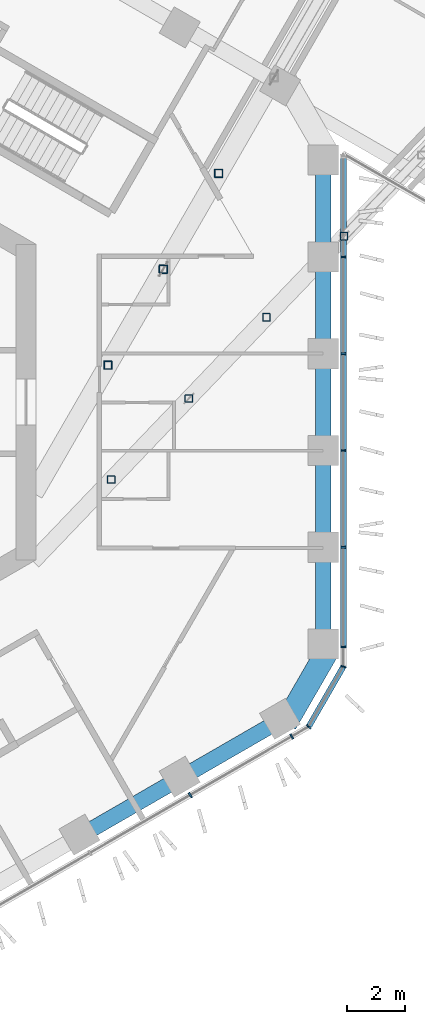
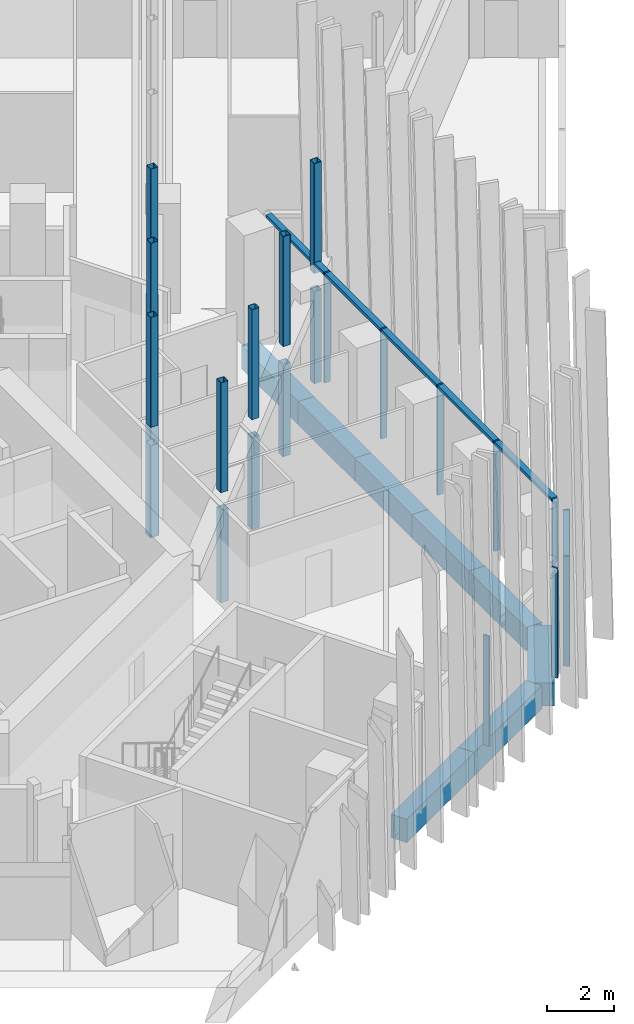
# One storey, part 5 of 31: 25 members, 8 beams, 3 elements without a shape of their own.
"""IFC4 building model written with IfcOpenShell, lengths in metres."""

from ifc_helpers import new_model, si_unit, direction, frame, origin, origin_2d, place, context, subcontext, project, spatial, rectangle, hollow_rectangle, extrude, material, layer, layer_set, material_profile, profile_set, type_object, element, aggregate, save


model = new_model("IFC4")

# Units and contexts
model_context = context("Model", 3, precision=1e-05, world=origin(), true_north=direction((0.0, 1.0)))
body_context = subcontext(model_context, "Body", "Model", "MODEL_VIEW")
ifc_project = project(units=[si_unit("LENGTHUNIT", "METRE"), si_unit("AREAUNIT", "SQUARE_METRE"), si_unit("VOLUMEUNIT", "CUBIC_METRE"), si_unit("PLANEANGLEUNIT", "RADIAN"), si_unit("MASSUNIT", "GRAM", prefix="KILO")], contexts=[model_context])

# Site, building, storey
site_placement = place(None, origin())
site = spatial("IfcSite", under=ifc_project, at=site_placement, CompositionType="ELEMENT")
building_placement = place(site_placement, origin())
building = spatial("IfcBuilding", under=site, at=building_placement, Name="Ayvan Gate Tower", CompositionType="ELEMENT")
storey_placement = place(building_placement, frame((0.0, 0.0, 135.89990234375)))
storey = spatial("IfcBuildingStorey", under=building, at=storey_placement, Name="L36", CompositionType="ELEMENT", Elevation=135.89990234375)

# Beam
ifc_material_1 = material(Name="Concrete C40/50", Category="concrete")
ifc_material_profile_1 = material_profile(ifc_material_1, rectangle(XDim=0.800048828125, YDim=0.85009765625, at=origin_2d()), Name="RC 800x850")
ifc_profile_set_1 = profile_set([ifc_material_profile_1], Name="Concrete C40/50")
beam_type_1 = type_object("IfcBeamType", Name="Corner spandrel beam RC 800x850 C40/50", PredefinedType="BEAM", material=ifc_profile_set_1)
beam_1_placement = place(storey_placement, frame((18.176025390625, -11.178466796875, -0.824951171875), z_axis=(0.499990139034, 0.866031096941, 0.0), x_axis=(-0.866031096941, 0.499990139034, 0.0)))
element("IfcBeam", 1, at=beam_1_placement, inside=storey, type_object=beam_type_1, Name="SB-L36-36", PredefinedType="BEAM", context=body_context, shape_type="SweptSolid", body=[
    extrude(rectangle(XDim=0.800048828125, YDim=0.85009765625, at=origin_2d()), origin(), (0.0, 0.0, 1.0), 3.0),
])

# Members
ifc_material_2 = material(Name="Steel S460NH", Category="steel")
ifc_material_profile_2 = material_profile(ifc_material_2, hollow_rectangle(XDim=0.27001953125, YDim=0.27001953125, WallThickness=0.01611328125, InnerFilletRadius=0.01611328125, OuterFilletRadius=0.02392578125, at=origin_2d()), Name="RHS 270x270x16")
ifc_profile_set_2 = profile_set([ifc_material_profile_2], Name="Steel S460NH")
member_type_1 = type_object("IfcMemberType", Name="Sky bar end truss post B3 RHS 270x270x16", PredefinedType="POST", material=ifc_profile_set_2)
for number, where, z_axis, x_axis, name in (
    (2, (12.11474609375, -2.69482421875, -0.39990234375), (0.0, 0.0, 1.0), (1.0, 0.0, 0.0), "SBT3-1-P-1"),
    (3, (14.813232421875, 0.12646484375, -0.39990234375), (0.0, 0.0, 1.0), (1.0, 0.0, 0.0), "SBT3-1-P-2"),
    (4, (17.51171875, 2.94775390625, -0.39990234375), (0.0, 0.0, 1.0), (1.0, 0.0, 0.0), "SBT3-1-P-3"),
    (5, (20.210205078125, 5.76904296875, -0.39990234375), (0.0, 0.0, 1.0), (1.0, 0.0, 0.0), "SBT3-1-P-4"),
):
    element("IfcMember", number, at=place(storey_placement, frame(where, z_axis=z_axis, x_axis=x_axis)), inside=storey, type_object=member_type_1, Name=name, PredefinedType="POST", context=body_context, shape_type="SweptSolid", body=[
        extrude(hollow_rectangle(XDim=0.27001953125, YDim=0.27001953125, WallThickness=0.01611328125, InnerFilletRadius=0.01611328125, OuterFilletRadius=0.02392578125, at=origin_2d()), origin(), (0.0, 0.0, 1.0), 3.35009765625),
    ])
ifc_material_profile_3 = material_profile(ifc_material_2, hollow_rectangle(XDim=0.300048828125, YDim=0.300048828125, WallThickness=0.01611328125, InnerFilletRadius=0.01611328125, OuterFilletRadius=0.02392578125, at=origin_2d()), Name="RHS 300x300x16")
ifc_profile_set_3 = profile_set([ifc_material_profile_3], Name="Steel S460NH")
member_type_2 = type_object("IfcMemberType", Name="Sky bar truss post B3 RHS 300x300x16", PredefinedType="POST", material=ifc_profile_set_3)
for number, where, z_axis, x_axis, name in (
    (6, (12.0, 1.28466796875, -0.39990234375), (0.0, 0.0, 1.0), (1.0, 0.0, 0.0), "SBT3-2-P-1"),
    (7, (13.925048828125, 4.618896484375, -0.39990234375), (0.0, 0.0, 1.0), (1.0, 0.0, 0.0), "SBT3-2-P-2"),
    (8, (15.85009765625, 7.953369140625, -0.39990234375), (0.0, 0.0, 1.0), (1.0, 0.0, 0.0), "SBT3-2-P-3"),
):
    element("IfcMember", number, at=place(storey_placement, frame(where, z_axis=z_axis, x_axis=x_axis)), inside=storey, type_object=member_type_2, Name=name, PredefinedType="POST", context=body_context, shape_type="SweptSolid", body=[
        extrude(hollow_rectangle(XDim=0.300048828125, YDim=0.300048828125, WallThickness=0.01611328125, InnerFilletRadius=0.01611328125, OuterFilletRadius=0.02392578125, at=origin_2d()), origin(), (0.0, 0.0, 1.0), 3.35009765625),
    ])
ifc_material_profile_4 = material_profile(ifc_material_2, hollow_rectangle(XDim=0.260009765625, YDim=0.260009765625, WallThickness=0.012451171875, InnerFilletRadius=0.012451171875, OuterFilletRadius=0.018798828125, at=origin_2d()), Name="RHS 260x260x12.5")
ifc_profile_set_4 = profile_set([ifc_material_profile_4], Name="Steel S460NH")
member_type_3 = type_object("IfcMemberType", Name="Sky bar upper post B3 RHS 260x260x12.5", PredefinedType="POST", material=ifc_profile_set_4)
for number, where, z_axis, x_axis, name in (
    (9, (12.11474609375, -2.69482421875, 3.60009765625), (0.0, 0.0, 1.0), (1.0, 0.0, 0.0), "SBT3-1-U-1"),
    (10, (14.813232421875, 0.12646484375, 3.60009765625), (0.0, 0.0, 1.0), (1.0, 0.0, 0.0), "SBT3-1-U-2"),
    (11, (17.51171875, 2.94775390625, 3.60009765625), (0.0, 0.0, 1.0), (1.0, 0.0, 0.0), "SBT3-1-U-3"),
    (12, (20.210205078125, 5.76904296875, 3.60009765625), (0.0, 0.0, 1.0), (1.0, 0.0, 0.0), "SBT3-1-U-4"),
    (13, (12.0, 1.28466796875, 3.60009765625), (0.0, 0.0, 1.0), (1.0, 0.0, 0.0), "SBT3-2-U-1"),
    (14, (13.925048828125, 4.618896484375, 3.60009765625), (0.0, 0.0, 1.0), (1.0, 0.0, 0.0), "SBT3-2-U-2"),
    (15, (15.85009765625, 7.953369140625, 3.60009765625), (0.0, 0.0, 1.0), (1.0, 0.0, 0.0), "SBT3-2-U-3"),
):
    element("IfcMember", number, at=place(storey_placement, frame(where, z_axis=z_axis, x_axis=x_axis)), inside=storey, type_object=member_type_3, Name=name, PredefinedType="POST", context=body_context, shape_type="SweptSolid", body=[
        extrude(hollow_rectangle(XDim=0.260009765625, YDim=0.260009765625, WallThickness=0.012451171875, InnerFilletRadius=0.012451171875, OuterFilletRadius=0.018798828125, at=origin_2d()), origin(), (0.0, 0.0, 1.0), 4.0),
    ])

# Beams
ifc_material_profile_5 = material_profile(ifc_material_1, rectangle(XDim=0.550048828125, YDim=0.85009765625, at=origin_2d()), Name="RC 550x850")
ifc_profile_set_5 = profile_set([ifc_material_profile_5], Name="Concrete C40/50")
beam_type_2 = type_object("IfcBeamType", Name="Spandrel beam RC 550x850 C40/50", PredefinedType="BEAM", material=ifc_profile_set_5)
for number, where, z_axis, x_axis, name in (
    (16, (19.485595703125, -8.470458984375, -0.824951171875), (0.0, 1.0, 0.0), (-1.0, 0.0, 0.0), "SB-L36-1"),
    (17, (19.485595703125, -5.082275390625, -0.824951171875), (0.0, 1.0, 0.0), (-1.0, 0.0, 0.0), "SB-L36-2"),
    (18, (19.485595703125, -1.694091796875, -0.824951171875), (0.0, 1.0, 0.0), (-1.0, 0.0, 0.0), "SB-L36-3"),
    (19, (19.485595703125, 1.694091796875, -0.824951171875), (0.0, 1.0, 0.0), (-1.0, 0.0, 0.0), "SB-L36-4"),
    (20, (19.485595703125, 5.082275390625, -0.824951171875), (0.0, 1.0, 0.0), (-1.0, 0.0, 0.0), "SB-L36-5"),
):
    element("IfcBeam", number, at=place(storey_placement, frame(where, z_axis=z_axis, x_axis=x_axis)), inside=storey, type_object=beam_type_2, Name=name, PredefinedType="BEAM", context=body_context, shape_type="SweptSolid", body=[
        extrude(rectangle(XDim=0.550048828125, YDim=0.85009765625, at=origin_2d()), origin(), (0.0, 0.0, 1.0), 3.38818359375),
    ])
beam_2_placement = place(storey_placement, frame((11.028564453125, -15.085205078125, -0.824951171875), z_axis=(0.866027683981, 0.499996050563, 0.0), x_axis=(-0.499996050563, 0.866027683981, 0.0)))
element("IfcBeam", 21, at=beam_2_placement, inside=storey, type_object=beam_type_2, Name="SB-L36-34", PredefinedType="BEAM", context=body_context, shape_type="SweptSolid", body=[
    extrude(rectangle(XDim=0.550048828125, YDim=0.85009765625, at=origin_2d()), origin(), (0.0, 0.0, 1.0), 4.0166015625),
])
beam_3_placement = place(storey_placement, frame((14.507080078125, -13.076904296875, -0.824951171875), z_axis=(0.866001364167, 0.500041635528, 0.0), x_axis=(-0.500041635528, 0.866001364167, 0.0)))
element("IfcBeam", 22, at=beam_3_placement, inside=storey, type_object=beam_type_2, Name="SB-L36-35", PredefinedType="BEAM", context=body_context, shape_type="SweptSolid", body=[
    extrude(rectangle(XDim=0.550048828125, YDim=0.85009765625, at=origin_2d()), origin(), (0.0, 0.0, 1.0), 4.016845703125),
])

# Curtain wall, members
ifc_material_3 = material(Name="Bronze anodised aluminium", Category="aluminium")
ifc_layer_1 = layer(ifc_material_3, 0.199951171875)
ifc_layer_set_1 = layer_set([ifc_layer_1], Name="Bronze anodised aluminium")
curtain_wall_type_1 = type_object("IfcCurtainWallType", Name="Stick curtain wall CW-1", PredefinedType="NOTDEFINED", material=ifc_layer_set_1)
curtain_wall_1_placement = place(storey_placement, origin())
curtain_wall_1 = element("IfcCurtainWall", 23, at=curtain_wall_1_placement, inside=storey, type_object=curtain_wall_type_1, Name="Stick curtain wall CW-1 L36", PredefinedType="NOTDEFINED")
ifc_material_profile_6 = material_profile(ifc_material_3, rectangle(XDim=0.199951171875, YDim=0.06005859375, at=origin_2d()), Name="Stick curtain wall CW-1 mullion 200 x 60")
ifc_profile_set_6 = profile_set([ifc_material_profile_6], Name="Bronze anodised aluminium")
member_type_4 = type_object("IfcMemberType", Name="Stick curtain wall CW-1 mullion 200 x 60", PredefinedType="MULLION", material=ifc_profile_set_6)
member_1_placement = place(storey_placement, frame((14.8642578125, -13.662109375, 0.0), z_axis=(0.0, 0.0, 1.0), x_axis=(0.5, -0.866025403784, 0.0)))
member_1 = element("IfcMember", 24, at=member_1_placement, type_object=member_type_4, Name="CW-1 mullion 5", PredefinedType="MULLION", context=body_context, shape_type="SweptSolid", body=[
    extrude(rectangle(XDim=0.199951171875, YDim=0.06005859375, at=origin_2d()), origin(), (0.0, 0.0, 1.0), 4.0),
])
member_2_placement = place(storey_placement, frame((18.389404296875, -11.626953125, 0.0), z_axis=(0.0, 0.0, 1.0), x_axis=(0.5, -0.866025403784, 0.0)))
member_2 = element("IfcMember", 25, at=member_2_placement, type_object=member_type_4, Name="CW-1 mullion 6", PredefinedType="MULLION", context=body_context, shape_type="SweptSolid", body=[
    extrude(rectangle(XDim=0.199951171875, YDim=0.06005859375, at=origin_2d()), origin(), (0.0, 0.0, 1.0), 4.0),
])
aggregate(curtain_wall_1, [member_1, member_2])

curtain_wall_2_placement = place(storey_placement, origin())
curtain_wall_2 = element("IfcCurtainWall", 26, at=curtain_wall_2_placement, inside=storey, type_object=curtain_wall_type_1, Name="Stick curtain wall CW-1 L36", PredefinedType="NOTDEFINED")
member_3_placement = place(storey_placement, frame((20.185546875, -8.515869140625, 0.0), z_axis=(0.0, 0.0, 1.0), x_axis=(1.0, 0.0, 0.0)))
member_3 = element("IfcMember", 27, at=member_3_placement, type_object=member_type_4, Name="CW-1 mullion 1", PredefinedType="MULLION", context=body_context, shape_type="SweptSolid", body=[
    extrude(rectangle(XDim=0.199951171875, YDim=0.06005859375, at=origin_2d()), origin(), (0.0, 0.0, 1.0), 4.0),
])
member_4_placement = place(storey_placement, frame((20.185546875, -5.0478515625, 0.0), z_axis=(0.0, 0.0, 1.0), x_axis=(1.0, 0.0, 0.0)))
member_4 = element("IfcMember", 28, at=member_4_placement, type_object=member_type_4, Name="CW-1 mullion 2", PredefinedType="MULLION", context=body_context, shape_type="SweptSolid", body=[
    extrude(rectangle(XDim=0.199951171875, YDim=0.06005859375, at=origin_2d()), origin(), (0.0, 0.0, 1.0), 4.0),
])
member_5_placement = place(storey_placement, frame((20.185546875, -1.682861328125, 0.0), z_axis=(0.0, 0.0, 1.0), x_axis=(1.0, 0.0, 0.0)))
member_5 = element("IfcMember", 29, at=member_5_placement, type_object=member_type_4, Name="CW-1 mullion 3", PredefinedType="MULLION", context=body_context, shape_type="SweptSolid", body=[
    extrude(rectangle(XDim=0.199951171875, YDim=0.06005859375, at=origin_2d()), origin(), (0.0, 0.0, 1.0), 4.0),
])
member_6_placement = place(storey_placement, frame((20.185546875, 1.68310546875, 0.0), z_axis=(0.0, 0.0, 1.0), x_axis=(1.0, 0.0, 0.0)))
member_6 = element("IfcMember", 30, at=member_6_placement, type_object=member_type_4, Name="CW-1 mullion 4", PredefinedType="MULLION", context=body_context, shape_type="SweptSolid", body=[
    extrude(rectangle(XDim=0.199951171875, YDim=0.06005859375, at=origin_2d()), origin(), (0.0, 0.0, 1.0), 4.0),
])
member_7_placement = place(storey_placement, frame((20.185546875, 5.048095703125, 0.0), z_axis=(0.0, 0.0, 1.0), x_axis=(1.0, 0.0, 0.0)))
member_7 = element("IfcMember", 31, at=member_7_placement, type_object=member_type_4, Name="CW-1 mullion 5", PredefinedType="MULLION", context=body_context, shape_type="SweptSolid", body=[
    extrude(rectangle(XDim=0.199951171875, YDim=0.06005859375, at=origin_2d()), origin(), (0.0, 0.0, 1.0), 4.0),
])
ifc_material_profile_7 = material_profile(ifc_material_3, rectangle(XDim=0.199951171875, YDim=0.1201171875, at=origin_2d()), Name="Stick curtain wall CW-1 transom 200 x 120")
ifc_profile_set_7 = profile_set([ifc_material_profile_7], Name="Bronze anodised aluminium")
member_type_5 = type_object("IfcMemberType", Name="Stick curtain wall CW-1 transom 200 x 120", PredefinedType="USERDEFINED", material=ifc_profile_set_7)
member_8_placement = place(storey_placement, frame((20.185546875, -8.515869140625, 3.940185546875), z_axis=(0.0, 1.0, 0.0), x_axis=(-1.0, 0.0, 0.0)))
member_8 = element("IfcMember", 32, at=member_8_placement, type_object=member_type_5, Name="CW-1 transom 1", ObjectType="TRANSOM", PredefinedType="USERDEFINED", context=body_context, shape_type="SweptSolid", body=[
    extrude(rectangle(XDim=0.199951171875, YDim=0.1201171875, at=origin_2d()), origin(), (0.0, 0.0, 1.0), 17.03173828125),
])
aggregate(curtain_wall_2, [member_3, member_4, member_5, member_6, member_7, member_8])

ifc_layer_2 = layer(ifc_material_3, 0.199951171875)
ifc_layer_set_2 = layer_set([ifc_layer_2], Name="Bronze anodised aluminium")
curtain_wall_type_2 = type_object("IfcCurtainWallType", Name="Stick curtain wall CW-6", PredefinedType="NOTDEFINED", material=ifc_layer_set_2)
curtain_wall_3_placement = place(storey_placement, origin())
curtain_wall_3 = element("IfcCurtainWall", 33, at=curtain_wall_3_placement, inside=storey, type_object=curtain_wall_type_2, Name="Stick curtain wall CW-6 L36", PredefinedType="NOTDEFINED")
ifc_material_profile_8 = material_profile(ifc_material_3, rectangle(XDim=0.199951171875, YDim=0.050048828125, at=origin_2d()), Name="Stick curtain wall CW-6 mullion 200 x 50")
ifc_profile_set_8 = profile_set([ifc_material_profile_8], Name="Bronze anodised aluminium")
member_type_6 = type_object("IfcMemberType", Name="Stick curtain wall CW-6 mullion 200 x 50", PredefinedType="MULLION", material=ifc_profile_set_8)
member_9_placement = place(storey_placement, frame((18.978271484375, -11.286865234375, 0.0), z_axis=(0.0, 0.0, 1.0), x_axis=(0.707106781187, -0.707106781187, 0.0)))
member_9 = element("IfcMember", 34, at=member_9_placement, type_object=member_type_6, Name="CW-6 mullion 2", PredefinedType="MULLION", context=body_context, shape_type="SweptSolid", body=[
    extrude(rectangle(XDim=0.199951171875, YDim=0.050048828125, at=origin_2d()), origin(), (0.0, 0.0, 1.0), 4.0),
])
member_10_placement = place(storey_placement, frame((20.185546875, -9.19580078125, 0.0), z_axis=(0.0, 0.0, 1.0), x_axis=(0.965925826289, -0.258819045103, 0.0)))
member_10 = element("IfcMember", 35, at=member_10_placement, type_object=member_type_6, Name="CW-6 mullion 3", PredefinedType="MULLION", context=body_context, shape_type="SweptSolid", body=[
    extrude(rectangle(XDim=0.199951171875, YDim=0.050048828125, at=origin_2d()), origin(), (0.0, 0.0, 1.0), 4.0),
])
ifc_material_profile_9 = material_profile(ifc_material_3, rectangle(XDim=0.199951171875, YDim=0.1201171875, at=origin_2d()), Name="Stick curtain wall CW-6 transom 200 x 120")
ifc_profile_set_9 = profile_set([ifc_material_profile_9], Name="Bronze anodised aluminium")
member_type_7 = type_object("IfcMemberType", Name="Stick curtain wall CW-6 transom 200 x 120", PredefinedType="USERDEFINED", material=ifc_profile_set_9)
member_11_placement = place(storey_placement, frame((18.99072265625, -11.265380859375, 3.940185546875), z_axis=(0.500014398087, 0.866017090885, 0.0), x_axis=(-0.866017090885, 0.500014398087, 0.0)))
member_11 = element("IfcMember", 36, at=member_11_placement, type_object=member_type_7, Name="CW-6 transom 2", ObjectType="TRANSOM", PredefinedType="USERDEFINED", context=body_context, shape_type="SweptSolid", body=[
    extrude(rectangle(XDim=0.199951171875, YDim=0.1201171875, at=origin_2d()), origin(), (0.0, 0.0, 1.0), 2.36474609375),
])
aggregate(curtain_wall_3, [member_9, member_10, member_11])

save(model, "model.ifc")
